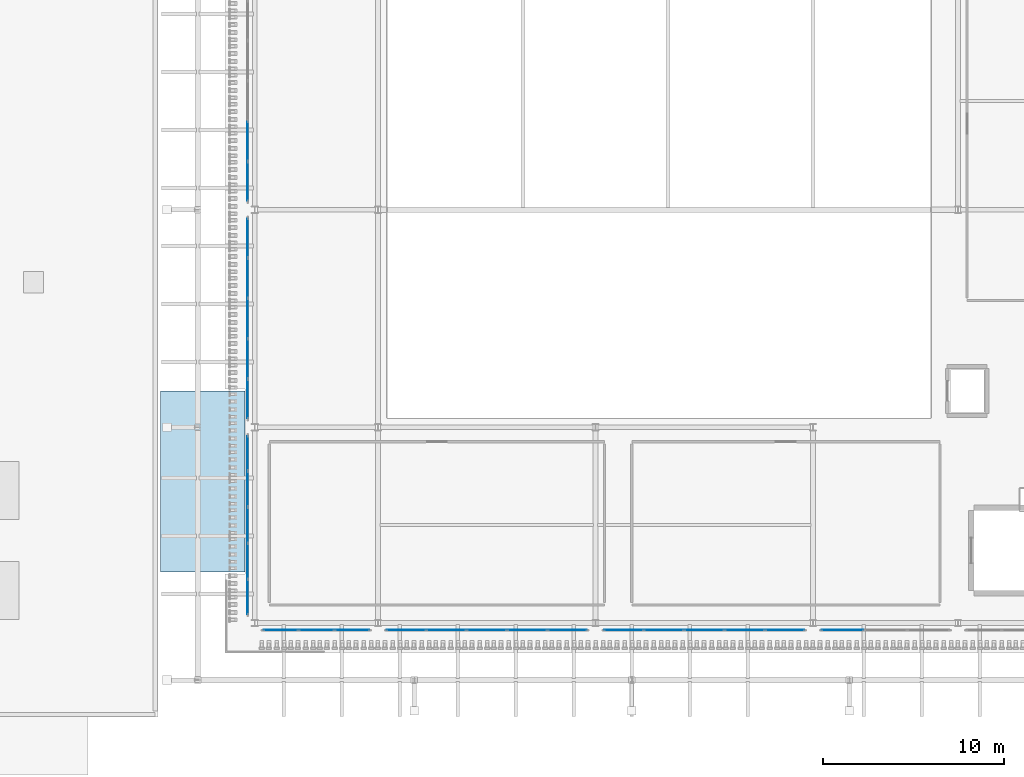
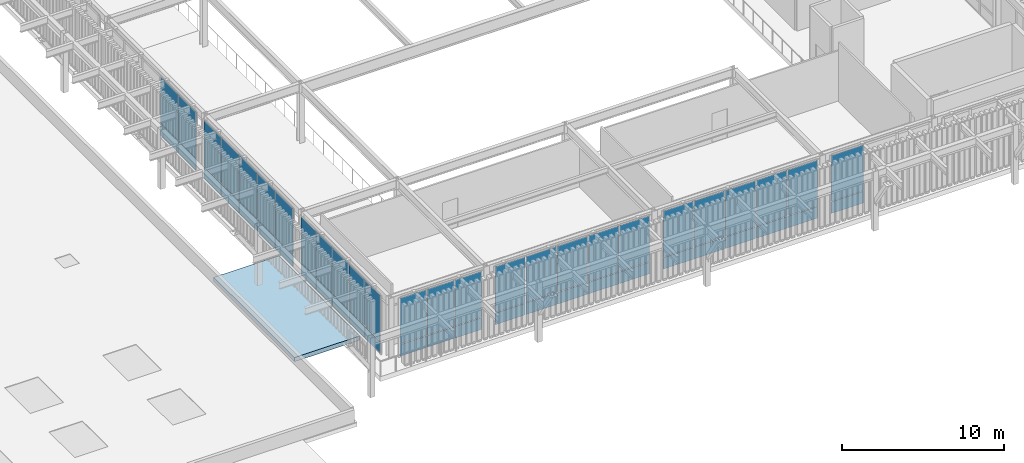
# One storey, part 74 of 126: 52 plates, 1 slab, 7 elements without a shape of their own.
"""IFC4 building model written with IfcOpenShell, lengths in metres."""

from ifc_helpers import new_model, si_unit, derived_unit, direction, frame, origin, origin_2d, place, context, subcontext, project, spatial, polyline, rectangle, outline, extrude, material, layer, layer_set, type_object, element, aggregate, save


model = new_model("IFC4")

# Units and contexts
model_context = context("Model", 3, precision=1e-05, world=origin(), true_north=direction((0.0, 1.0)))
body_context = subcontext(model_context, "Body", "Model", "MODEL_VIEW")
ifc_project = project(units=[si_unit("LENGTHUNIT", "METRE"), si_unit("AREAUNIT", "SQUARE_METRE"), si_unit("VOLUMEUNIT", "CUBIC_METRE"), si_unit("PLANEANGLEUNIT", "RADIAN"), si_unit("MASSUNIT", "GRAM", prefix="KILO"), derived_unit("THERMALTRANSMITTANCEUNIT", [(si_unit("MASSUNIT", "GRAM", prefix="KILO"), 1), (si_unit("TIMEUNIT", "SECOND"), -3), (si_unit("THERMODYNAMICTEMPERATUREUNIT", "KELVIN"), -1)])], contexts=[model_context])

# Site, building, storey
site_placement = place(None, origin())
site = spatial("IfcSite", under=ifc_project, at=site_placement, CompositionType="ELEMENT")
building_placement = place(site_placement, origin())
building = spatial("IfcBuilding", under=site, at=building_placement, Name="Valcora Ridge Arena", CompositionType="ELEMENT")
storey_placement = place(building_placement, frame((0.0, 0.0, 11.39990234375)))
storey = spatial("IfcBuildingStorey", under=building, at=storey_placement, Name="L02", CompositionType="ELEMENT", Elevation=11.39990234375)

# Curtain wall, plates
ifc_material_1 = material(Name="Anodised dark bronze architectural aluminium 6063-T6", Category="aluminium")
ifc_layer_1 = layer(ifc_material_1, 0.179931640625, Name="Anodised dark bronze architectural aluminium 6063-T6")
ifc_layer_set_1 = layer_set([ifc_layer_1], Name="Anodised dark bronze architectural aluminium 6063-T6")
curtain_wall_type_1 = type_object("IfcCurtainWallType", Name="TY-CURTAINWALL-CW-V2-GLAZ-059X45", PredefinedType="NOTDEFINED", material=ifc_layer_set_1)
curtain_wall_1_placement = place(storey_placement, origin())
curtain_wall_1 = element("IfcCurtainWall", 1, at=curtain_wall_1_placement, inside=storey, type_object=curtain_wall_type_1, Name="CW-V2-GLAZ-059X45 CW-0066", PredefinedType="NOTDEFINED")
ifc_material_2 = material(Name="Low-iron solar-control double glazing SHGC 0.28", Category="glass")
ifc_layer_2 = layer(ifc_material_2, 0.028076171875, Name="Low-iron solar-control double glazing SHGC 0.28")
ifc_layer_set_2 = layer_set([ifc_layer_2], Name="Low-iron solar-control double glazing SHGC 0.28")
plate_type_1 = type_object("IfcPlateType", Name="TY-PLT-CWP-1892X0875", PredefinedType="CURTAIN_PANEL", material=ifc_layer_set_2)
plate_1_placement = place(storey_placement, frame((138.633056640625, 4.800048828125, 0.050048828125), z_axis=(0.0, 0.0, 1.0), x_axis=(1.0, 0.0, 0.0)))
plate_1 = element("IfcPlate", 2, at=plate_1_placement, type_object=plate_type_1, Name="CW-0066/P00-00", PredefinedType="CURTAIN_PANEL", context=body_context, shape_type="SweptSolid", body=[
    extrude(rectangle(XDim=1.89208984375, YDim=0.028076171875, at=origin_2d()), origin(), (0.0, 0.0, 1.0), 0.875),
])
plate_2_placement = place(storey_placement, frame((142.56689453125, 4.800048828125, 0.050048828125), z_axis=(0.0, 0.0, 1.0), x_axis=(1.0, 0.0, 0.0)))
plate_2 = element("IfcPlate", 3, at=plate_2_placement, type_object=plate_type_1, Name="CW-0066/P02-00", PredefinedType="CURTAIN_PANEL", context=body_context, shape_type="SweptSolid", body=[
    extrude(rectangle(XDim=1.89208984375, YDim=0.028076171875, at=origin_2d()), origin(), (0.0, 0.0, 1.0), 0.875),
])
ifc_layer_3 = layer(ifc_material_2, 0.028076171875, Name="Low-iron solar-control double glazing SHGC 0.28")
ifc_layer_set_3 = layer_set([ifc_layer_3], Name="Low-iron solar-control double glazing SHGC 0.28")
plate_type_2 = type_object("IfcPlateType", Name="TY-PLT-CWP-1892X3455", PredefinedType="CURTAIN_PANEL", material=ifc_layer_set_3)
plate_3_placement = place(storey_placement, frame((138.633056640625, 4.800048828125, 0.97509765625), z_axis=(0.0, 0.0, 1.0), x_axis=(1.0, 0.0, 0.0)))
plate_3 = element("IfcPlate", 4, at=plate_3_placement, type_object=plate_type_2, Name="CW-0066/P00-01", PredefinedType="CURTAIN_PANEL", context=body_context, shape_type="SweptSolid", body=[
    extrude(rectangle(XDim=1.89208984375, YDim=0.028076171875, at=origin_2d()), origin(), (0.0, 0.0, 1.0), 3.455078125),
])
plate_4_placement = place(storey_placement, frame((142.56689453125, 4.800048828125, 0.97509765625), z_axis=(0.0, 0.0, 1.0), x_axis=(1.0, 0.0, 0.0)))
plate_4 = element("IfcPlate", 5, at=plate_4_placement, type_object=plate_type_2, Name="CW-0066/P02-01", PredefinedType="CURTAIN_PANEL", context=body_context, shape_type="SweptSolid", body=[
    extrude(rectangle(XDim=1.89208984375, YDim=0.028076171875, at=origin_2d()), origin(), (0.0, 0.0, 1.0), 3.455078125),
])

ifc_layer_4 = layer(ifc_material_1, 0.179931640625, Name="Anodised dark bronze architectural aluminium 6063-T6")
ifc_layer_set_4 = layer_set([ifc_layer_4], Name="Anodised dark bronze architectural aluminium 6063-T6")
curtain_wall_type_2 = type_object("IfcCurtainWallType", Name="TY-CURTAINWALL-CW-V2-GLAZ-099X45", PredefinedType="NOTDEFINED", material=ifc_layer_set_4)
curtain_wall_2_placement = place(storey_placement, origin())
curtain_wall_2 = element("IfcCurtainWall", 6, at=curtain_wall_2_placement, inside=storey, type_object=curtain_wall_type_2, Name="CW-V2-GLAZ-099X45 CW-0060", PredefinedType="NOTDEFINED")
ifc_layer_5 = layer(ifc_material_2, 0.028076171875, Name="Low-iron solar-control double glazing SHGC 0.28")
ifc_layer_set_5 = layer_set([ifc_layer_5], Name="Low-iron solar-control double glazing SHGC 0.28")
plate_type_3 = type_object("IfcPlateType", Name="TY-PLT-CWP-1899X0875", PredefinedType="CURTAIN_PANEL", material=ifc_layer_set_5)
plate_5_placement = place(storey_placement, frame((136.800048828125, 6.635986328125, 0.050048828125), z_axis=(0.0, 0.0, 1.0), x_axis=(0.0, 1.0, 0.0)))
plate_5 = element("IfcPlate", 7, at=plate_5_placement, type_object=plate_type_3, Name="CW-0060/P00-00", PredefinedType="CURTAIN_PANEL", context=body_context, shape_type="SweptSolid", body=[
    extrude(rectangle(XDim=1.89892578125, YDim=0.028076171875, at=origin_2d()), origin(), (0.0, 0.0, 1.0), 0.875),
])
plate_6_placement = place(storey_placement, frame((136.800048828125, 14.56396484375, 0.050048828125), z_axis=(0.0, 0.0, 1.0), x_axis=(0.0, 1.0, 0.0)))
plate_6 = element("IfcPlate", 8, at=plate_6_placement, type_object=plate_type_3, Name="CW-0060/P04-00", PredefinedType="CURTAIN_PANEL", context=body_context, shape_type="SweptSolid", body=[
    extrude(rectangle(XDim=1.89892578125, YDim=0.028076171875, at=origin_2d()), origin(), (0.0, 0.0, 1.0), 0.875),
])
ifc_layer_6 = layer(ifc_material_2, 0.028076171875, Name="Low-iron solar-control double glazing SHGC 0.28")
ifc_layer_set_6 = layer_set([ifc_layer_6], Name="Low-iron solar-control double glazing SHGC 0.28")
plate_type_4 = type_object("IfcPlateType", Name="TY-PLT-CWP-1899X3455", PredefinedType="CURTAIN_PANEL", material=ifc_layer_set_6)
plate_7_placement = place(storey_placement, frame((136.800048828125, 6.635986328125, 0.97509765625), z_axis=(0.0, 0.0, 1.0), x_axis=(0.0, 1.0, 0.0)))
plate_7 = element("IfcPlate", 9, at=plate_7_placement, type_object=plate_type_4, Name="CW-0060/P00-01", PredefinedType="CURTAIN_PANEL", context=body_context, shape_type="SweptSolid", body=[
    extrude(rectangle(XDim=1.89892578125, YDim=0.028076171875, at=origin_2d()), origin(), (0.0, 0.0, 1.0), 3.455078125),
])
plate_8_placement = place(storey_placement, frame((136.800048828125, 14.56396484375, 0.97509765625), z_axis=(0.0, 0.0, 1.0), x_axis=(0.0, 1.0, 0.0)))
plate_8 = element("IfcPlate", 10, at=plate_8_placement, type_object=plate_type_4, Name="CW-0060/P04-01", PredefinedType="CURTAIN_PANEL", context=body_context, shape_type="SweptSolid", body=[
    extrude(rectangle(XDim=1.89892578125, YDim=0.028076171875, at=origin_2d()), origin(), (0.0, 0.0, 1.0), 3.455078125),
])

# Plate
ifc_layer_7 = layer(ifc_material_2, 0.028076171875, Name="Low-iron solar-control double glazing SHGC 0.28")
ifc_layer_set_7 = layer_set([ifc_layer_7], Name="Low-iron solar-control double glazing SHGC 0.28")
plate_type_5 = type_object("IfcPlateType", Name="TY-PLT-CWP-1922X0875", PredefinedType="CURTAIN_PANEL", material=ifc_layer_set_7)
plate_9_placement = place(storey_placement, frame((140.60009765625, 4.800048828125, 0.050048828125), z_axis=(0.0, 0.0, 1.0), x_axis=(1.0, 0.0, 0.0)))
plate_9 = element("IfcPlate", 11, at=plate_9_placement, type_object=plate_type_5, Name="CW-0066/P01-00", PredefinedType="CURTAIN_PANEL", context=body_context, shape_type="SweptSolid", body=[
    extrude(rectangle(XDim=1.922119140625, YDim=0.028076171875, at=origin_2d()), origin(), (0.0, 0.0, 1.0), 0.875),
])

ifc_layer_8 = layer(ifc_material_2, 0.028076171875, Name="Low-iron solar-control double glazing SHGC 0.28")
ifc_layer_set_8 = layer_set([ifc_layer_8], Name="Low-iron solar-control double glazing SHGC 0.28")
plate_type_6 = type_object("IfcPlateType", Name="TY-PLT-CWP-1922X3455", PredefinedType="CURTAIN_PANEL", material=ifc_layer_set_8)
plate_10_placement = place(storey_placement, frame((140.60009765625, 4.800048828125, 0.97509765625), z_axis=(0.0, 0.0, 1.0), x_axis=(1.0, 0.0, 0.0)))
plate_10 = element("IfcPlate", 12, at=plate_10_placement, type_object=plate_type_6, Name="CW-0066/P01-01", PredefinedType="CURTAIN_PANEL", context=body_context, shape_type="SweptSolid", body=[
    extrude(rectangle(XDim=1.922119140625, YDim=0.028076171875, at=origin_2d()), origin(), (0.0, 0.0, 1.0), 3.455078125),
])

aggregate(curtain_wall_1, [plate_1, plate_3, plate_9, plate_10, plate_2, plate_4])

ifc_layer_9 = layer(ifc_material_2, 0.028076171875, Name="Low-iron solar-control double glazing SHGC 0.28")
ifc_layer_set_9 = layer_set([ifc_layer_9], Name="Low-iron solar-control double glazing SHGC 0.28")
plate_type_7 = type_object("IfcPlateType", Name="TY-PLT-CWP-1929X0875", PredefinedType="CURTAIN_PANEL", material=ifc_layer_set_9)
plate_11_placement = place(storey_placement, frame((136.800048828125, 10.60009765625, 0.050048828125), z_axis=(0.0, 0.0, 1.0), x_axis=(0.0, 1.0, 0.0)))
plate_11 = element("IfcPlate", 13, at=plate_11_placement, type_object=plate_type_7, Name="CW-0060/P02-00", PredefinedType="CURTAIN_PANEL", context=body_context, shape_type="SweptSolid", body=[
    extrude(rectangle(XDim=1.928955078125, YDim=0.028076171875, at=origin_2d()), origin(), (0.0, 0.0, 1.0), 0.875),
])

ifc_layer_10 = layer(ifc_material_2, 0.028076171875, Name="Low-iron solar-control double glazing SHGC 0.28")
ifc_layer_set_10 = layer_set([ifc_layer_10], Name="Low-iron solar-control double glazing SHGC 0.28")
plate_type_8 = type_object("IfcPlateType", Name="TY-PLT-CWP-1929X3455", PredefinedType="CURTAIN_PANEL", material=ifc_layer_set_10)
plate_12_placement = place(storey_placement, frame((136.800048828125, 10.60009765625, 0.97509765625), z_axis=(0.0, 0.0, 1.0), x_axis=(0.0, 1.0, 0.0)))
plate_12 = element("IfcPlate", 14, at=plate_12_placement, type_object=plate_type_8, Name="CW-0060/P02-01", PredefinedType="CURTAIN_PANEL", context=body_context, shape_type="SweptSolid", body=[
    extrude(rectangle(XDim=1.928955078125, YDim=0.028076171875, at=origin_2d()), origin(), (0.0, 0.0, 1.0), 3.455078125),
])

ifc_layer_11 = layer(ifc_material_2, 0.028076171875, Name="Low-iron solar-control double glazing SHGC 0.28")
ifc_layer_set_11 = layer_set([ifc_layer_11], Name="Low-iron solar-control double glazing SHGC 0.28")
plate_type_9 = type_object("IfcPlateType", Name="TY-PLT-CWP-1930X0875", PredefinedType="CURTAIN_PANEL", material=ifc_layer_set_11)
plate_13_placement = place(storey_placement, frame((136.800048828125, 8.610595703125, 0.050048828125), z_axis=(0.0, 0.0, 1.0), x_axis=(0.0, 1.0, 0.0)))
plate_13 = element("IfcPlate", 15, at=plate_13_placement, type_object=plate_type_9, Name="CW-0060/P01-00", PredefinedType="CURTAIN_PANEL", context=body_context, shape_type="SweptSolid", body=[
    extrude(rectangle(XDim=1.929931640625, YDim=0.028076171875, at=origin_2d()), origin(), (0.0, 0.0, 1.0), 0.875),
])

plate_14_placement = place(storey_placement, frame((136.800048828125, 12.589599609375, 0.050048828125), z_axis=(0.0, 0.0, 1.0), x_axis=(0.0, 1.0, 0.0)))
plate_14 = element("IfcPlate", 16, at=plate_14_placement, type_object=plate_type_9, Name="CW-0060/P03-00", PredefinedType="CURTAIN_PANEL", context=body_context, shape_type="SweptSolid", body=[
    extrude(rectangle(XDim=1.929931640625, YDim=0.028076171875, at=origin_2d()), origin(), (0.0, 0.0, 1.0), 0.875),
])

ifc_layer_12 = layer(ifc_material_2, 0.028076171875, Name="Low-iron solar-control double glazing SHGC 0.28")
ifc_layer_set_12 = layer_set([ifc_layer_12], Name="Low-iron solar-control double glazing SHGC 0.28")
plate_type_10 = type_object("IfcPlateType", Name="TY-PLT-CWP-1930X3455", PredefinedType="CURTAIN_PANEL", material=ifc_layer_set_12)
plate_15_placement = place(storey_placement, frame((136.800048828125, 8.610595703125, 0.97509765625), z_axis=(0.0, 0.0, 1.0), x_axis=(0.0, 1.0, 0.0)))
plate_15 = element("IfcPlate", 17, at=plate_15_placement, type_object=plate_type_10, Name="CW-0060/P01-01", PredefinedType="CURTAIN_PANEL", context=body_context, shape_type="SweptSolid", body=[
    extrude(rectangle(XDim=1.929931640625, YDim=0.028076171875, at=origin_2d()), origin(), (0.0, 0.0, 1.0), 3.455078125),
])

plate_16_placement = place(storey_placement, frame((136.800048828125, 12.589599609375, 0.97509765625), z_axis=(0.0, 0.0, 1.0), x_axis=(0.0, 1.0, 0.0)))
plate_16 = element("IfcPlate", 18, at=plate_16_placement, type_object=plate_type_10, Name="CW-0060/P03-01", PredefinedType="CURTAIN_PANEL", context=body_context, shape_type="SweptSolid", body=[
    extrude(rectangle(XDim=1.929931640625, YDim=0.028076171875, at=origin_2d()), origin(), (0.0, 0.0, 1.0), 3.455078125),
])

aggregate(curtain_wall_2, [plate_5, plate_7, plate_13, plate_15, plate_11, plate_12, plate_14, plate_16, plate_6, plate_8])

# Curtain wall, plates
ifc_layer_13 = layer(ifc_material_1, 0.179931640625, Name="Anodised dark bronze architectural aluminium 6063-T6")
ifc_layer_set_13 = layer_set([ifc_layer_13], Name="Anodised dark bronze architectural aluminium 6063-T6")
curtain_wall_type_3 = type_object("IfcCurtainWallType", Name="TY-CURTAINWALL-CW-V2-GLAZ-111X45", PredefinedType="NOTDEFINED", material=ifc_layer_set_13)
curtain_wall_3_placement = place(storey_placement, origin())
curtain_wall_3 = element("IfcCurtainWall", 19, at=curtain_wall_3_placement, inside=storey, type_object=curtain_wall_type_3, Name="CW-V2-GLAZ-111X45 CW-0061", PredefinedType="NOTDEFINED")
ifc_layer_14 = layer(ifc_material_2, 0.028076171875, Name="Low-iron solar-control double glazing SHGC 0.28")
ifc_layer_set_14 = layer_set([ifc_layer_14], Name="Low-iron solar-control double glazing SHGC 0.28")
plate_type_11 = type_object("IfcPlateType", Name="TY-PLT-CWP-2139X0875", PredefinedType="CURTAIN_PANEL", material=ifc_layer_set_14)
plate_17_placement = place(storey_placement, frame((136.800048828125, 17.555908203125, 0.050048828125), z_axis=(0.0, 0.0, 1.0), x_axis=(0.0, 1.0, 0.0)))
plate_17 = element("IfcPlate", 20, at=plate_17_placement, type_object=plate_type_11, Name="CW-0061/P00-00", PredefinedType="CURTAIN_PANEL", context=body_context, shape_type="SweptSolid", body=[
    extrude(rectangle(XDim=2.138916015625, YDim=0.028076171875, at=origin_2d()), origin(), (0.0, 0.0, 1.0), 0.875),
])
plate_18_placement = place(storey_placement, frame((136.800048828125, 26.444091796875, 0.050048828125), z_axis=(0.0, 0.0, 1.0), x_axis=(0.0, 1.0, 0.0)))
plate_18 = element("IfcPlate", 21, at=plate_18_placement, type_object=plate_type_11, Name="CW-0061/P04-00", PredefinedType="CURTAIN_PANEL", context=body_context, shape_type="SweptSolid", body=[
    extrude(rectangle(XDim=2.138916015625, YDim=0.028076171875, at=origin_2d()), origin(), (0.0, 0.0, 1.0), 0.875),
])

# Curtain wall, plate
curtain_wall_4_placement = place(storey_placement, origin())
curtain_wall_4 = element("IfcCurtainWall", 22, at=curtain_wall_4_placement, inside=storey, type_object=curtain_wall_type_3, Name="CW-V2-GLAZ-111X45 CW-0062", PredefinedType="NOTDEFINED")
plate_19_placement = place(storey_placement, frame((136.800048828125, 29.555908203125, 0.050048828125), z_axis=(0.0, 0.0, 1.0), x_axis=(0.0, 1.0, 0.0)))
plate_19 = element("IfcPlate", 23, at=plate_19_placement, type_object=plate_type_11, Name="CW-0062/P00-00", PredefinedType="CURTAIN_PANEL", context=body_context, shape_type="SweptSolid", body=[
    extrude(rectangle(XDim=2.138916015625, YDim=0.028076171875, at=origin_2d()), origin(), (0.0, 0.0, 1.0), 0.875),
])

# Curtain wall, plates
curtain_wall_5_placement = place(storey_placement, origin())
curtain_wall_5 = element("IfcCurtainWall", 24, at=curtain_wall_5_placement, inside=storey, type_object=curtain_wall_type_3, Name="CW-V2-GLAZ-111X45 CW-0067", PredefinedType="NOTDEFINED")
plate_20_placement = place(storey_placement, frame((145.556396484375, 4.800048828125, 0.050048828125), z_axis=(0.0, 0.0, 1.0), x_axis=(1.0, 0.0, 0.0)))
plate_20 = element("IfcPlate", 25, at=plate_20_placement, type_object=plate_type_11, Name="CW-0067/P00-00", PredefinedType="CURTAIN_PANEL", context=body_context, shape_type="SweptSolid", body=[
    extrude(rectangle(XDim=2.138916015625, YDim=0.028076171875, at=origin_2d()), origin(), (0.0, 0.0, 1.0), 0.875),
])
plate_21_placement = place(storey_placement, frame((154.443603515625, 4.800048828125, 0.050048828125), z_axis=(0.0, 0.0, 1.0), x_axis=(1.0, 0.0, 0.0)))
plate_21 = element("IfcPlate", 26, at=plate_21_placement, type_object=plate_type_11, Name="CW-0067/P04-00", PredefinedType="CURTAIN_PANEL", context=body_context, shape_type="SweptSolid", body=[
    extrude(rectangle(XDim=2.138916015625, YDim=0.028076171875, at=origin_2d()), origin(), (0.0, 0.0, 1.0), 0.875),
])

curtain_wall_6_placement = place(storey_placement, origin())
curtain_wall_6 = element("IfcCurtainWall", 27, at=curtain_wall_6_placement, inside=storey, type_object=curtain_wall_type_3, Name="CW-V2-GLAZ-111X45 CW-0068", PredefinedType="NOTDEFINED")
plate_22_placement = place(storey_placement, frame((157.556396484375, 4.800048828125, 0.050048828125), z_axis=(0.0, 0.0, 1.0), x_axis=(1.0, 0.0, 0.0)))
plate_22 = element("IfcPlate", 28, at=plate_22_placement, type_object=plate_type_11, Name="CW-0068/P00-00", PredefinedType="CURTAIN_PANEL", context=body_context, shape_type="SweptSolid", body=[
    extrude(rectangle(XDim=2.138916015625, YDim=0.028076171875, at=origin_2d()), origin(), (0.0, 0.0, 1.0), 0.875),
])
plate_23_placement = place(storey_placement, frame((166.443603515625, 4.800048828125, 0.050048828125), z_axis=(0.0, 0.0, 1.0), x_axis=(1.0, 0.0, 0.0)))
plate_23 = element("IfcPlate", 29, at=plate_23_placement, type_object=plate_type_11, Name="CW-0068/P04-00", PredefinedType="CURTAIN_PANEL", context=body_context, shape_type="SweptSolid", body=[
    extrude(rectangle(XDim=2.138916015625, YDim=0.028076171875, at=origin_2d()), origin(), (0.0, 0.0, 1.0), 0.875),
])

# Plate
ifc_layer_15 = layer(ifc_material_2, 0.028076171875, Name="Low-iron solar-control double glazing SHGC 0.28")
ifc_layer_set_15 = layer_set([ifc_layer_15], Name="Low-iron solar-control double glazing SHGC 0.28")
plate_type_12 = type_object("IfcPlateType", Name="TY-PLT-CWP-2139X3455", PredefinedType="CURTAIN_PANEL", material=ifc_layer_set_15)
plate_24_placement = place(storey_placement, frame((136.800048828125, 17.555908203125, 0.97509765625), z_axis=(0.0, 0.0, 1.0), x_axis=(0.0, 1.0, 0.0)))
plate_24 = element("IfcPlate", 30, at=plate_24_placement, type_object=plate_type_12, Name="CW-0061/P00-01", PredefinedType="CURTAIN_PANEL", context=body_context, shape_type="SweptSolid", body=[
    extrude(rectangle(XDim=2.138916015625, YDim=0.028076171875, at=origin_2d()), origin(), (0.0, 0.0, 1.0), 3.455078125),
])

plate_25_placement = place(storey_placement, frame((136.800048828125, 26.444091796875, 0.97509765625), z_axis=(0.0, 0.0, 1.0), x_axis=(0.0, 1.0, 0.0)))
plate_25 = element("IfcPlate", 31, at=plate_25_placement, type_object=plate_type_12, Name="CW-0061/P04-01", PredefinedType="CURTAIN_PANEL", context=body_context, shape_type="SweptSolid", body=[
    extrude(rectangle(XDim=2.138916015625, YDim=0.028076171875, at=origin_2d()), origin(), (0.0, 0.0, 1.0), 3.455078125),
])

plate_26_placement = place(storey_placement, frame((136.800048828125, 29.555908203125, 0.97509765625), z_axis=(0.0, 0.0, 1.0), x_axis=(0.0, 1.0, 0.0)))
plate_26 = element("IfcPlate", 32, at=plate_26_placement, type_object=plate_type_12, Name="CW-0062/P00-01", PredefinedType="CURTAIN_PANEL", context=body_context, shape_type="SweptSolid", body=[
    extrude(rectangle(XDim=2.138916015625, YDim=0.028076171875, at=origin_2d()), origin(), (0.0, 0.0, 1.0), 3.455078125),
])

plate_27_placement = place(storey_placement, frame((145.556396484375, 4.800048828125, 0.97509765625), z_axis=(0.0, 0.0, 1.0), x_axis=(1.0, 0.0, 0.0)))
plate_27 = element("IfcPlate", 33, at=plate_27_placement, type_object=plate_type_12, Name="CW-0067/P00-01", PredefinedType="CURTAIN_PANEL", context=body_context, shape_type="SweptSolid", body=[
    extrude(rectangle(XDim=2.138916015625, YDim=0.028076171875, at=origin_2d()), origin(), (0.0, 0.0, 1.0), 3.455078125),
])

plate_28_placement = place(storey_placement, frame((154.443603515625, 4.800048828125, 0.97509765625), z_axis=(0.0, 0.0, 1.0), x_axis=(1.0, 0.0, 0.0)))
plate_28 = element("IfcPlate", 34, at=plate_28_placement, type_object=plate_type_12, Name="CW-0067/P04-01", PredefinedType="CURTAIN_PANEL", context=body_context, shape_type="SweptSolid", body=[
    extrude(rectangle(XDim=2.138916015625, YDim=0.028076171875, at=origin_2d()), origin(), (0.0, 0.0, 1.0), 3.455078125),
])

plate_29_placement = place(storey_placement, frame((157.556396484375, 4.800048828125, 0.97509765625), z_axis=(0.0, 0.0, 1.0), x_axis=(1.0, 0.0, 0.0)))
plate_29 = element("IfcPlate", 35, at=plate_29_placement, type_object=plate_type_12, Name="CW-0068/P00-01", PredefinedType="CURTAIN_PANEL", context=body_context, shape_type="SweptSolid", body=[
    extrude(rectangle(XDim=2.138916015625, YDim=0.028076171875, at=origin_2d()), origin(), (0.0, 0.0, 1.0), 3.455078125),
])

plate_30_placement = place(storey_placement, frame((166.443603515625, 4.800048828125, 0.97509765625), z_axis=(0.0, 0.0, 1.0), x_axis=(1.0, 0.0, 0.0)))
plate_30 = element("IfcPlate", 36, at=plate_30_placement, type_object=plate_type_12, Name="CW-0068/P04-01", PredefinedType="CURTAIN_PANEL", context=body_context, shape_type="SweptSolid", body=[
    extrude(rectangle(XDim=2.138916015625, YDim=0.028076171875, at=origin_2d()), origin(), (0.0, 0.0, 1.0), 3.455078125),
])

ifc_layer_16 = layer(ifc_material_2, 0.028076171875, Name="Low-iron solar-control double glazing SHGC 0.28")
ifc_layer_set_16 = layer_set([ifc_layer_16], Name="Low-iron solar-control double glazing SHGC 0.28")
plate_type_13 = type_object("IfcPlateType", Name="TY-PLT-CWP-2169X0875", PredefinedType="CURTAIN_PANEL", material=ifc_layer_set_16)
plate_31_placement = place(storey_placement, frame((136.800048828125, 22.0, 0.050048828125), z_axis=(0.0, 0.0, 1.0), x_axis=(0.0, 1.0, 0.0)))
plate_31 = element("IfcPlate", 37, at=plate_31_placement, type_object=plate_type_13, Name="CW-0061/P02-00", PredefinedType="CURTAIN_PANEL", context=body_context, shape_type="SweptSolid", body=[
    extrude(rectangle(XDim=2.1689453125, YDim=0.028076171875, at=origin_2d()), origin(), (0.0, 0.0, 1.0), 0.875),
])

plate_32_placement = place(storey_placement, frame((147.7705078125, 4.800048828125, 0.050048828125), z_axis=(0.0, 0.0, 1.0), x_axis=(1.0, 0.0, 0.0)))
plate_32 = element("IfcPlate", 38, at=plate_32_placement, type_object=plate_type_13, Name="CW-0067/P01-00", PredefinedType="CURTAIN_PANEL", context=body_context, shape_type="SweptSolid", body=[
    extrude(rectangle(XDim=2.1689453125, YDim=0.028076171875, at=origin_2d()), origin(), (0.0, 0.0, 1.0), 0.875),
])

plate_33_placement = place(storey_placement, frame((152.2294921875, 4.800048828125, 0.050048828125), z_axis=(0.0, 0.0, 1.0), x_axis=(1.0, 0.0, 0.0)))
plate_33 = element("IfcPlate", 39, at=plate_33_placement, type_object=plate_type_13, Name="CW-0067/P03-00", PredefinedType="CURTAIN_PANEL", context=body_context, shape_type="SweptSolid", body=[
    extrude(rectangle(XDim=2.1689453125, YDim=0.028076171875, at=origin_2d()), origin(), (0.0, 0.0, 1.0), 0.875),
])

plate_34_placement = place(storey_placement, frame((159.7705078125, 4.800048828125, 0.050048828125), z_axis=(0.0, 0.0, 1.0), x_axis=(1.0, 0.0, 0.0)))
plate_34 = element("IfcPlate", 40, at=plate_34_placement, type_object=plate_type_13, Name="CW-0068/P01-00", PredefinedType="CURTAIN_PANEL", context=body_context, shape_type="SweptSolid", body=[
    extrude(rectangle(XDim=2.1689453125, YDim=0.028076171875, at=origin_2d()), origin(), (0.0, 0.0, 1.0), 0.875),
])

plate_35_placement = place(storey_placement, frame((164.2294921875, 4.800048828125, 0.050048828125), z_axis=(0.0, 0.0, 1.0), x_axis=(1.0, 0.0, 0.0)))
plate_35 = element("IfcPlate", 41, at=plate_35_placement, type_object=plate_type_13, Name="CW-0068/P03-00", PredefinedType="CURTAIN_PANEL", context=body_context, shape_type="SweptSolid", body=[
    extrude(rectangle(XDim=2.1689453125, YDim=0.028076171875, at=origin_2d()), origin(), (0.0, 0.0, 1.0), 0.875),
])

ifc_layer_17 = layer(ifc_material_2, 0.028076171875, Name="Low-iron solar-control double glazing SHGC 0.28")
ifc_layer_set_17 = layer_set([ifc_layer_17], Name="Low-iron solar-control double glazing SHGC 0.28")
plate_type_14 = type_object("IfcPlateType", Name="TY-PLT-CWP-2169X3455", PredefinedType="CURTAIN_PANEL", material=ifc_layer_set_17)
plate_36_placement = place(storey_placement, frame((136.800048828125, 22.0, 0.97509765625), z_axis=(0.0, 0.0, 1.0), x_axis=(0.0, 1.0, 0.0)))
plate_36 = element("IfcPlate", 42, at=plate_36_placement, type_object=plate_type_14, Name="CW-0061/P02-01", PredefinedType="CURTAIN_PANEL", context=body_context, shape_type="SweptSolid", body=[
    extrude(rectangle(XDim=2.1689453125, YDim=0.028076171875, at=origin_2d()), origin(), (0.0, 0.0, 1.0), 3.455078125),
])

plate_37_placement = place(storey_placement, frame((147.7705078125, 4.800048828125, 0.97509765625), z_axis=(0.0, 0.0, 1.0), x_axis=(1.0, 0.0, 0.0)))
plate_37 = element("IfcPlate", 43, at=plate_37_placement, type_object=plate_type_14, Name="CW-0067/P01-01", PredefinedType="CURTAIN_PANEL", context=body_context, shape_type="SweptSolid", body=[
    extrude(rectangle(XDim=2.1689453125, YDim=0.028076171875, at=origin_2d()), origin(), (0.0, 0.0, 1.0), 3.455078125),
])

plate_38_placement = place(storey_placement, frame((152.2294921875, 4.800048828125, 0.97509765625), z_axis=(0.0, 0.0, 1.0), x_axis=(1.0, 0.0, 0.0)))
plate_38 = element("IfcPlate", 44, at=plate_38_placement, type_object=plate_type_14, Name="CW-0067/P03-01", PredefinedType="CURTAIN_PANEL", context=body_context, shape_type="SweptSolid", body=[
    extrude(rectangle(XDim=2.1689453125, YDim=0.028076171875, at=origin_2d()), origin(), (0.0, 0.0, 1.0), 3.455078125),
])

plate_39_placement = place(storey_placement, frame((159.7705078125, 4.800048828125, 0.97509765625), z_axis=(0.0, 0.0, 1.0), x_axis=(1.0, 0.0, 0.0)))
plate_39 = element("IfcPlate", 45, at=plate_39_placement, type_object=plate_type_14, Name="CW-0068/P01-01", PredefinedType="CURTAIN_PANEL", context=body_context, shape_type="SweptSolid", body=[
    extrude(rectangle(XDim=2.1689453125, YDim=0.028076171875, at=origin_2d()), origin(), (0.0, 0.0, 1.0), 3.455078125),
])

plate_40_placement = place(storey_placement, frame((164.2294921875, 4.800048828125, 0.97509765625), z_axis=(0.0, 0.0, 1.0), x_axis=(1.0, 0.0, 0.0)))
plate_40 = element("IfcPlate", 46, at=plate_40_placement, type_object=plate_type_14, Name="CW-0068/P03-01", PredefinedType="CURTAIN_PANEL", context=body_context, shape_type="SweptSolid", body=[
    extrude(rectangle(XDim=2.1689453125, YDim=0.028076171875, at=origin_2d()), origin(), (0.0, 0.0, 1.0), 3.455078125),
])

ifc_layer_18 = layer(ifc_material_2, 0.028076171875, Name="Low-iron solar-control double glazing SHGC 0.28")
ifc_layer_set_18 = layer_set([ifc_layer_18], Name="Low-iron solar-control double glazing SHGC 0.28")
plate_type_15 = type_object("IfcPlateType", Name="TY-PLT-CWP-2170X0875", PredefinedType="CURTAIN_PANEL", material=ifc_layer_set_18)
plate_41_placement = place(storey_placement, frame((136.800048828125, 19.7705078125, 0.050048828125), z_axis=(0.0, 0.0, 1.0), x_axis=(0.0, 1.0, 0.0)))
plate_41 = element("IfcPlate", 47, at=plate_41_placement, type_object=plate_type_15, Name="CW-0061/P01-00", PredefinedType="CURTAIN_PANEL", context=body_context, shape_type="SweptSolid", body=[
    extrude(rectangle(XDim=2.169921875, YDim=0.028076171875, at=origin_2d()), origin(), (0.0, 0.0, 1.0), 0.875),
])

plate_42_placement = place(storey_placement, frame((136.800048828125, 24.2294921875, 0.050048828125), z_axis=(0.0, 0.0, 1.0), x_axis=(0.0, 1.0, 0.0)))
plate_42 = element("IfcPlate", 48, at=plate_42_placement, type_object=plate_type_15, Name="CW-0061/P03-00", PredefinedType="CURTAIN_PANEL", context=body_context, shape_type="SweptSolid", body=[
    extrude(rectangle(XDim=2.169921875, YDim=0.028076171875, at=origin_2d()), origin(), (0.0, 0.0, 1.0), 0.875),
])

plate_43_placement = place(storey_placement, frame((136.800048828125, 31.7705078125, 0.050048828125), z_axis=(0.0, 0.0, 1.0), x_axis=(0.0, 1.0, 0.0)))
plate_43 = element("IfcPlate", 49, at=plate_43_placement, type_object=plate_type_15, Name="CW-0062/P01-00", PredefinedType="CURTAIN_PANEL", context=body_context, shape_type="SweptSolid", body=[
    extrude(rectangle(XDim=2.169921875, YDim=0.028076171875, at=origin_2d()), origin(), (0.0, 0.0, 1.0), 0.875),
])

plate_44_placement = place(storey_placement, frame((150.0, 4.800048828125, 0.050048828125), z_axis=(0.0, 0.0, 1.0), x_axis=(1.0, 0.0, 0.0)))
plate_44 = element("IfcPlate", 50, at=plate_44_placement, type_object=plate_type_15, Name="CW-0067/P02-00", PredefinedType="CURTAIN_PANEL", context=body_context, shape_type="SweptSolid", body=[
    extrude(rectangle(XDim=2.169921875, YDim=0.028076171875, at=origin_2d()), origin(), (0.0, 0.0, 1.0), 0.875),
])

plate_45_placement = place(storey_placement, frame((162.0, 4.800048828125, 0.050048828125), z_axis=(0.0, 0.0, 1.0), x_axis=(1.0, 0.0, 0.0)))
plate_45 = element("IfcPlate", 51, at=plate_45_placement, type_object=plate_type_15, Name="CW-0068/P02-00", PredefinedType="CURTAIN_PANEL", context=body_context, shape_type="SweptSolid", body=[
    extrude(rectangle(XDim=2.169921875, YDim=0.028076171875, at=origin_2d()), origin(), (0.0, 0.0, 1.0), 0.875),
])

ifc_layer_19 = layer(ifc_material_2, 0.028076171875, Name="Low-iron solar-control double glazing SHGC 0.28")
ifc_layer_set_19 = layer_set([ifc_layer_19], Name="Low-iron solar-control double glazing SHGC 0.28")
plate_type_16 = type_object("IfcPlateType", Name="TY-PLT-CWP-2170X3455", PredefinedType="CURTAIN_PANEL", material=ifc_layer_set_19)
plate_46_placement = place(storey_placement, frame((136.800048828125, 19.7705078125, 0.97509765625), z_axis=(0.0, 0.0, 1.0), x_axis=(0.0, 1.0, 0.0)))
plate_46 = element("IfcPlate", 52, at=plate_46_placement, type_object=plate_type_16, Name="CW-0061/P01-01", PredefinedType="CURTAIN_PANEL", context=body_context, shape_type="SweptSolid", body=[
    extrude(rectangle(XDim=2.169921875, YDim=0.028076171875, at=origin_2d()), origin(), (0.0, 0.0, 1.0), 3.455078125),
])

plate_47_placement = place(storey_placement, frame((136.800048828125, 24.2294921875, 0.97509765625), z_axis=(0.0, 0.0, 1.0), x_axis=(0.0, 1.0, 0.0)))
plate_47 = element("IfcPlate", 53, at=plate_47_placement, type_object=plate_type_16, Name="CW-0061/P03-01", PredefinedType="CURTAIN_PANEL", context=body_context, shape_type="SweptSolid", body=[
    extrude(rectangle(XDim=2.169921875, YDim=0.028076171875, at=origin_2d()), origin(), (0.0, 0.0, 1.0), 3.455078125),
])

aggregate(curtain_wall_3, [plate_17, plate_24, plate_41, plate_46, plate_31, plate_36, plate_42, plate_47, plate_18, plate_25])

plate_48_placement = place(storey_placement, frame((136.800048828125, 31.7705078125, 0.97509765625), z_axis=(0.0, 0.0, 1.0), x_axis=(0.0, 1.0, 0.0)))
plate_48 = element("IfcPlate", 54, at=plate_48_placement, type_object=plate_type_16, Name="CW-0062/P01-01", PredefinedType="CURTAIN_PANEL", context=body_context, shape_type="SweptSolid", body=[
    extrude(rectangle(XDim=2.169921875, YDim=0.028076171875, at=origin_2d()), origin(), (0.0, 0.0, 1.0), 3.455078125),
])

aggregate(curtain_wall_4, [plate_19, plate_26, plate_43, plate_48])

plate_49_placement = place(storey_placement, frame((150.0, 4.800048828125, 0.97509765625), z_axis=(0.0, 0.0, 1.0), x_axis=(1.0, 0.0, 0.0)))
plate_49 = element("IfcPlate", 55, at=plate_49_placement, type_object=plate_type_16, Name="CW-0067/P02-01", PredefinedType="CURTAIN_PANEL", context=body_context, shape_type="SweptSolid", body=[
    extrude(rectangle(XDim=2.169921875, YDim=0.028076171875, at=origin_2d()), origin(), (0.0, 0.0, 1.0), 3.455078125),
])

aggregate(curtain_wall_5, [plate_20, plate_27, plate_32, plate_37, plate_44, plate_49, plate_33, plate_38, plate_21, plate_28])

plate_50_placement = place(storey_placement, frame((162.0, 4.800048828125, 0.97509765625), z_axis=(0.0, 0.0, 1.0), x_axis=(1.0, 0.0, 0.0)))
plate_50 = element("IfcPlate", 56, at=plate_50_placement, type_object=plate_type_16, Name="CW-0068/P02-01", PredefinedType="CURTAIN_PANEL", context=body_context, shape_type="SweptSolid", body=[
    extrude(rectangle(XDim=2.169921875, YDim=0.028076171875, at=origin_2d()), origin(), (0.0, 0.0, 1.0), 3.455078125),
])

aggregate(curtain_wall_6, [plate_22, plate_29, plate_34, plate_39, plate_45, plate_50, plate_35, plate_40, plate_23, plate_30])

# Curtain wall, plates
ifc_layer_20 = layer(ifc_material_1, 0.179931640625, Name="Anodised dark bronze architectural aluminium 6063-T6")
ifc_layer_set_20 = layer_set([ifc_layer_20], Name="Anodised dark bronze architectural aluminium 6063-T6")
curtain_wall_type_4 = type_object("IfcCurtainWallType", Name="TY-CURTAINWALL-CW-V2-GLAZ-071X45", PredefinedType="NOTDEFINED", material=ifc_layer_set_20)
curtain_wall_7_placement = place(storey_placement, origin())
curtain_wall_7 = element("IfcCurtainWall", 57, at=curtain_wall_7_placement, inside=storey, type_object=curtain_wall_type_4, Name="CW-V2-GLAZ-071X45 CW-0069", PredefinedType="NOTDEFINED")
ifc_layer_21 = layer(ifc_material_2, 0.028076171875, Name="Low-iron solar-control double glazing SHGC 0.28")
ifc_layer_set_21 = layer_set([ifc_layer_21], Name="Low-iron solar-control double glazing SHGC 0.28")
plate_type_17 = type_object("IfcPlateType", Name="TY-PLT-CWP-2292X0875", PredefinedType="CURTAIN_PANEL", material=ifc_layer_set_21)
plate_51_placement = place(storey_placement, frame((169.633056640625, 4.800048828125, 0.050048828125), z_axis=(0.0, 0.0, 1.0), x_axis=(1.0, 0.0, 0.0)))
plate_51 = element("IfcPlate", 58, at=plate_51_placement, type_object=plate_type_17, Name="CW-0069/P00-00", PredefinedType="CURTAIN_PANEL", context=body_context, shape_type="SweptSolid", body=[
    extrude(rectangle(XDim=2.2919921875, YDim=0.028076171875, at=origin_2d()), origin(), (0.0, 0.0, 1.0), 0.875),
])
ifc_layer_22 = layer(ifc_material_2, 0.028076171875, Name="Low-iron solar-control double glazing SHGC 0.28")
ifc_layer_set_22 = layer_set([ifc_layer_22], Name="Low-iron solar-control double glazing SHGC 0.28")
plate_type_18 = type_object("IfcPlateType", Name="TY-PLT-CWP-2292X3455", PredefinedType="CURTAIN_PANEL", material=ifc_layer_set_22)
plate_52_placement = place(storey_placement, frame((169.633056640625, 4.800048828125, 0.97509765625), z_axis=(0.0, 0.0, 1.0), x_axis=(1.0, 0.0, 0.0)))
plate_52 = element("IfcPlate", 59, at=plate_52_placement, type_object=plate_type_18, Name="CW-0069/P00-01", PredefinedType="CURTAIN_PANEL", context=body_context, shape_type="SweptSolid", body=[
    extrude(rectangle(XDim=2.2919921875, YDim=0.028076171875, at=origin_2d()), origin(), (0.0, 0.0, 1.0), 3.455078125),
])
aggregate(curtain_wall_7, [plate_51, plate_52])

# Slab
ifc_material_3 = material(Name="Concrete C40/50", Category="concrete")
ifc_layer_23 = layer(ifc_material_3, 0.320068359375, Name="Concrete C40/50")
ifc_layer_set_23 = layer_set([ifc_layer_23], Name="Concrete C40/50")
slab_type = type_object("IfcSlabType", Name="TY-SLAB-RF-BRG-SJ2", PredefinedType="ROOF", material=ifc_layer_set_23)
slab_placement = place(storey_placement, frame((0.0, 0.0, -0.31982421875)))
element("IfcSlab", 60, at=slab_placement, inside=storey, type_object=slab_type, Name="RF-BRG-SJ2 SLB-0084", PredefinedType="ROOF", context=body_context, shape_type="SweptSolid", body=[
    extrude(outline(polyline([(136.64990234375, 8.0), (136.64990234375, 18.0), (132.0, 18.0), (132.0, 8.0), (136.64990234375, 8.0)])), origin(), (0.0, 0.0, 1.0), 0.31982421875),
])

save(model, "model.ifc")
